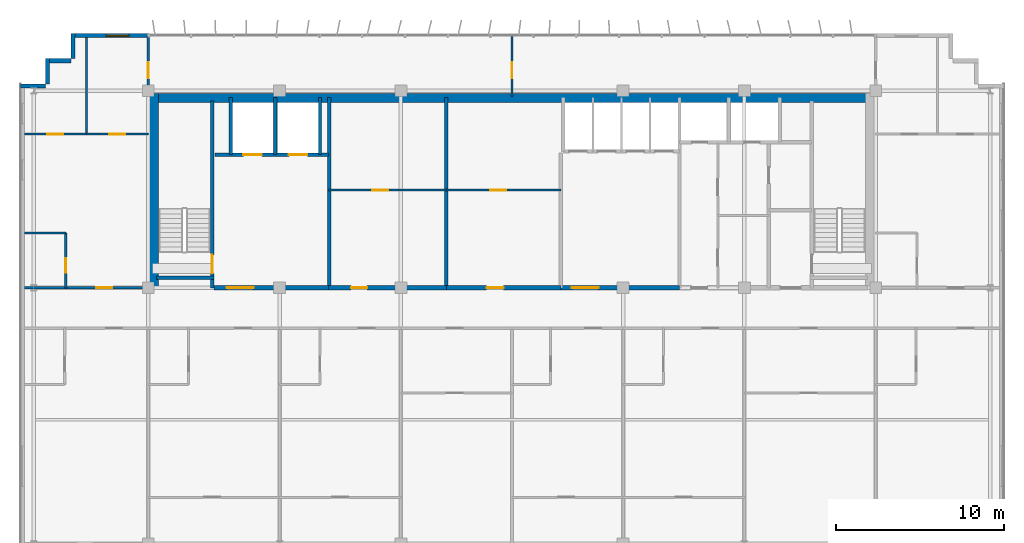
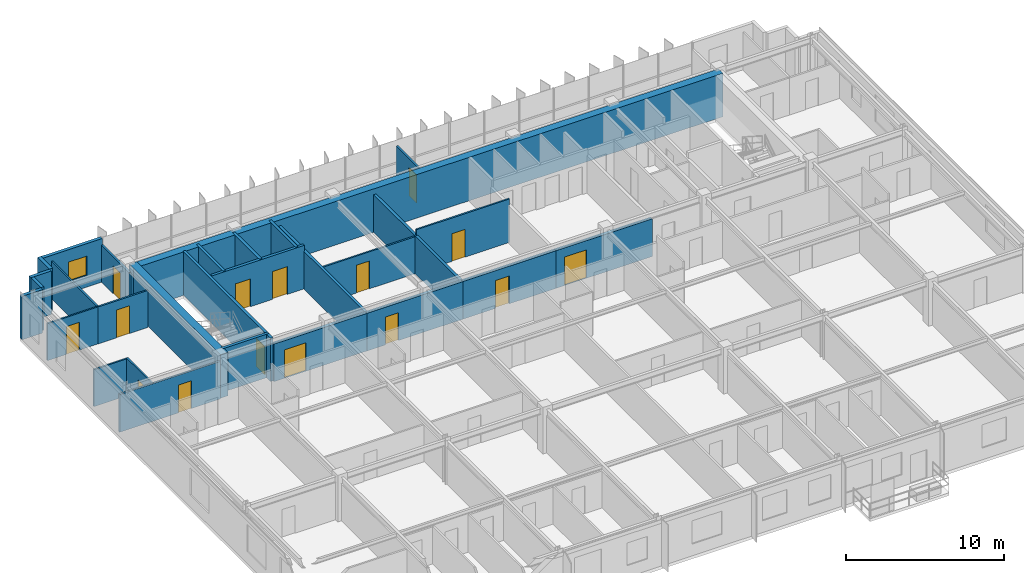
# One storey, part 19 of 23: 29 walls, 15 doors, 1 window, 16 openings.
"""IFC4 building model written with IfcOpenShell, lengths in metres."""

from ifc_helpers import new_model, si_unit, direction, frame, frame_2d, origin, place, context, subcontext, project, spatial, rectangle, extrude, source, transform, mapped, material, layer, layer_set, type_object, element, fill, save


model = new_model("IFC4")

# Units and contexts
model_context = context("Model", 3, precision=1e-05, world=origin(), true_north=direction((0.0, 1.0)))
body_context = subcontext(model_context, "Body", "Model", "MODEL_VIEW")
ifc_project = project(units=[si_unit("LENGTHUNIT", "METRE"), si_unit("AREAUNIT", "SQUARE_METRE"), si_unit("VOLUMEUNIT", "CUBIC_METRE"), si_unit("PLANEANGLEUNIT", "RADIAN"), si_unit("MASSUNIT", "GRAM", prefix="KILO")], contexts=[model_context])

# Site, building, storey
site_placement = place(None, origin())
site = spatial("IfcSite", under=ifc_project, at=site_placement, CompositionType="ELEMENT")
building_placement = place(site_placement, origin())
building = spatial("IfcBuilding", under=site, at=building_placement, Name="Trelvane Seafront Commons", CompositionType="ELEMENT")
storey_placement = place(building_placement, frame((0.0, 0.0, 226.5)))
storey = spatial("IfcBuildingStorey", under=building, at=storey_placement, Name="L59", CompositionType="ELEMENT", Elevation=226.5)

# Wall, opening, window
ifc_material_1 = material(Name="Precast concrete C40/50", Category="concrete")
ifc_layer_1 = layer(ifc_material_1, 0.239990234375, Name="ARCH-WALL-EXT240")
ifc_layer_set_1 = layer_set([ifc_layer_1], Name="Precast concrete C40/50")
wall_type_1 = type_object("IfcWallType", Name="ARCH-WALL-EXT240", PredefinedType="SOLIDWALL", material=ifc_layer_set_1)
wall_1_placement = place(storey_placement, frame((11.10009765625, 48.3701171875, 0.0), z_axis=(0.0, 0.0, 1.0), x_axis=(1.0, 0.0, 0.0)))
wall_1 = element("IfcWall", 1, at=wall_1_placement, inside=storey, type_object=wall_type_1, Name="EW-L59-NW-1183", PredefinedType="SOLIDWALL", context=body_context, shape_type="SweptSolid", body=[
    extrude(rectangle(XDim=4.5, YDim=0.239990234375, at=frame_2d((2.25, 0.0))), origin(), (0.0, 0.0, 1.0), 3.360107421875),
])
opening_1_placement = place(wall_1_placement, frame((2.0029296875, 0.0, 0.89990234375)))
opening_1 = element("IfcOpeningElement", 2, at=opening_1_placement, cuts=wall_1, Name="Opening W09", PredefinedType="OPENING", context=body_context, shape_type="SweptSolid", body=[
    extrude(rectangle(XDim=1.35009765625, YDim=1.5, at=frame_2d((0.675048828125, 0.75))), frame((0.0, 0.1298828125, 0.0), z_axis=(0.0, -1.0, 0.0), x_axis=(1.0, 0.0, 0.0)), (0.0, 0.0, 1.0), 0.260009765625),
])
ifc_material_2 = material(Name="Low-E coastal double glazing", Category="glass")
window_type = type_object("IfcWindowType", Name="ARCH-WIN-W09", PartitioningType="SINGLE_PANEL", PredefinedType="WINDOW", material=ifc_material_2)
shared_shape_1 = source(origin(), body_context, "Body", "SweptSolid", [
    extrude(rectangle(XDim=1.35009765625, YDim=1.5, at=frame_2d((0.675048828125, 0.75))), frame((0.0, 0.030029296875, 0.0), z_axis=(0.0, -1.0, 0.0), x_axis=(1.0, 0.0, 0.0)), (0.0, 0.0, 1.0), 0.06005859375),
])
window_placement = place(opening_1_placement, origin())
window = element("IfcWindow", 3, at=window_placement, inside=storey, type_object=window_type, Name="WIN-L59-01436", OverallHeight=1.5, OverallWidth=1.35009765625, PartitioningType="SINGLE_PANEL", PredefinedType="WINDOW", context=body_context, shape_type="MappedRepresentation", body=[
    mapped(shared_shape_1, transform((0.0, 0.0, 0.0), x_axis=(1.0, 0.0, 0.0), y_axis=(0.0, 1.0, 0.0), z_axis=(0.0, 0.0, 1.0), scale=1.0)),
])
fill(opening_1, window)

# Walls
for number, where, z_axis, x_axis, name in (
    (4, (8.0, 45.3798828125, 0.0), (0.0, 0.0, 1.0), (1.0, 0.0, 0.0), "EW-L59-01189"),
    (5, (9.6201171875, 45.5, 0.0), (0.0, 0.0, 1.0), (0.0, 1.0, 0.0), "EW-L59-01190"),
    (6, (9.5, 46.8798828125, 0.0), (0.0, 0.0, 1.0), (1.0, 0.0, 0.0), "EW-L59-01191"),
    (7, (11.1201171875, 47.0, 0.0), (0.0, 0.0, 1.0), (0.0, 1.0, 0.0), "EW-L59-01192"),
):
    element("IfcWall", number, at=place(storey_placement, frame(where, z_axis=z_axis, x_axis=x_axis)), inside=storey, type_object=wall_type_1, Name=name, PredefinedType="SOLIDWALL", context=body_context, shape_type="SweptSolid", body=[
        extrude(rectangle(XDim=1.5, YDim=0.239990234375, at=frame_2d((0.75, 0.0))), origin(), (0.0, 0.0, 1.0), 3.360107421875),
    ])

# Wall, opening, door
ifc_material_3 = material(Name="Concrete C40/50", Category="concrete")
ifc_layer_2 = layer(ifc_material_3, 0.25, Name="ARCH-WALL-FIRE250")
ifc_layer_set_2 = layer_set([ifc_layer_2], Name="Concrete C40/50")
wall_type_2 = type_object("IfcWallType", Name="ARCH-WALL-FIRE250", PredefinedType="PARTITIONING", material=ifc_layer_set_2)
wall_2_placement = place(storey_placement, frame((19.5, 33.39990234375, 0.0), z_axis=(0.0, 0.0, 1.0), x_axis=(1.0, 0.0, 0.0)))
wall_2 = element("IfcWall", 8, at=wall_2_placement, inside=storey, type_object=wall_type_2, Name="W-L59-CS-FFL-013", PredefinedType="PARTITIONING", context=body_context, shape_type="SweptSolid", body=[
    extrude(rectangle(XDim=6.800048828125, YDim=0.25, at=frame_2d((3.39990234375, 0.0))), origin(), (0.0, 0.0, 1.0), 2.909912109375),
])
opening_2_placement = place(wall_2_placement, frame((0.75, 0.0, 0.0)))
opening_2 = element("IfcOpeningElement", 9, at=opening_2_placement, cuts=wall_2, Name="Opening FD-L59-05", PredefinedType="OPENING", context=body_context, shape_type="SweptSolid", body=[
    extrude(rectangle(XDim=1.60009765625, YDim=2.199951171875, at=frame_2d((0.800048828125, 1.10009765625))), frame((0.0, 0.135009765625, 0.0), z_axis=(0.0, -1.0, 0.0), x_axis=(1.0, 0.0, 0.0)), (0.0, 0.0, 1.0), 0.27001953125),
])
ifc_material_4 = material(Name="Powder-coated aluminium frame", Category="aluminium")
door_type_1 = type_object("IfcDoorType", Name="ARCH-DR-FD60-1600", OperationType="DOUBLE_DOOR_SINGLE_SWING", PredefinedType="DOOR", material=ifc_material_4)
shared_shape_2 = source(origin(), body_context, "Body", "SweptSolid", [
    extrude(rectangle(XDim=1.60009765625, YDim=2.199951171875, at=frame_2d((0.800048828125, 1.10009765625))), frame((0.0, 0.02490234375, 0.0), z_axis=(0.0, -1.0, 0.0), x_axis=(1.0, 0.0, 0.0)), (0.0, 0.0, 1.0), 0.050048828125),
])
door_1_placement = place(opening_2_placement, origin())
door_1 = element("IfcDoor", 10, at=door_1_placement, inside=storey, type_object=door_type_1, Name="L59 Firefighting Lift Lobby Double Fire Door", OperationType="DOUBLE_DOOR_SINGLE_SWING", OverallHeight=2.199951171875, OverallWidth=1.60009765625, PredefinedType="DOOR", context=body_context, shape_type="MappedRepresentation", body=[
    mapped(shared_shape_2, transform((0.0, 0.0, 0.0), x_axis=(1.0, 0.0, 0.0), y_axis=(0.0, 1.0, 0.0), z_axis=(0.0, 0.0, 1.0), scale=1.0)),
])
fill(opening_2, door_1)

wall_3_placement = place(storey_placement, frame((26.300048828125, 33.39990234375, 0.0), z_axis=(0.0, 0.0, 1.0), x_axis=(1.0, 0.0, 0.0)))
wall_3 = element("IfcWall", 11, at=wall_3_placement, inside=storey, type_object=wall_type_2, Name="W-L59-CS-FPL-024", PredefinedType="PARTITIONING", context=body_context, shape_type="SweptSolid", body=[
    extrude(rectangle(XDim=7.0, YDim=0.25, at=frame_2d((3.5, 0.0))), origin(), (0.0, 0.0, 1.0), 2.909912109375),
])
opening_3_placement = place(wall_3_placement, frame((1.35009765625, 0.0, 0.0)))
opening_3 = element("IfcOpeningElement", 12, at=opening_3_placement, cuts=wall_3, Name="Opening D-L59-12", PredefinedType="OPENING", context=body_context, shape_type="SweptSolid", body=[
    extrude(rectangle(XDim=0.949951171875, YDim=2.14990234375, at=frame_2d((0.47509765625, 1.074951171875))), frame((0.0, 0.135009765625, 0.0), z_axis=(0.0, -1.0, 0.0), x_axis=(1.0, 0.0, 0.0)), (0.0, 0.0, 1.0), 0.27001953125),
])
ifc_material_5 = material(Name="Acoustic timber door leaf", Category="wood")
door_type_2 = type_object("IfcDoorType", Name="ARCH-DR-INT950", OperationType="NOTDEFINED", PredefinedType="DOOR", material=ifc_material_5)
shared_shape_3 = source(origin(), body_context, "Body", "SweptSolid", [
    extrude(rectangle(XDim=0.949951171875, YDim=2.14990234375, at=frame_2d((0.47509765625, 1.074951171875))), frame((0.0, 0.02490234375, 0.0), z_axis=(0.0, -1.0, 0.0), x_axis=(1.0, 0.0, 0.0)), (0.0, 0.0, 1.0), 0.050048828125),
])
door_2_placement = place(opening_3_placement, origin())
door_2 = element("IfcDoor", 13, at=door_2_placement, inside=storey, type_object=door_type_2, Name="L59 Floor Pantry Entrance Door", OperationType="SINGLE_SWING_RIGHT", OverallHeight=2.14990234375, OverallWidth=0.949951171875, PredefinedType="DOOR", context=body_context, shape_type="MappedRepresentation", body=[
    mapped(shared_shape_3, transform((0.0, 0.0, 0.0), x_axis=(1.0, 0.0, 0.0), y_axis=(0.0, 1.0, 0.0), z_axis=(0.0, 0.0, 1.0), scale=1.0)),
])
fill(opening_3, door_2)

wall_4_placement = place(storey_placement, frame((33.300048828125, 33.39990234375, 0.0), z_axis=(0.0, 0.0, 1.0), x_axis=(1.0, 0.0, 0.0)))
wall_4 = element("IfcWall", 14, at=wall_4_placement, inside=storey, type_object=wall_type_2, Name="W-L59-CS-FPM-025", PredefinedType="PARTITIONING", context=body_context, shape_type="SweptSolid", body=[
    extrude(rectangle(XDim=6.800048828125, YDim=0.25, at=frame_2d((3.39990234375, 0.0))), origin(), (0.0, 0.0, 1.0), 2.909912109375),
])
opening_4_placement = place(wall_4_placement, frame((2.39990234375, 0.0, 0.0)))
opening_4 = element("IfcOpeningElement", 15, at=opening_4_placement, cuts=wall_4, Name="Opening FD-L59-13", PredefinedType="OPENING", context=body_context, shape_type="SweptSolid", body=[
    extrude(rectangle(XDim=1.0, YDim=2.14990234375, at=frame_2d((0.5, 1.074951171875))), frame((0.0, 0.135009765625, 0.0), z_axis=(0.0, -1.0, 0.0), x_axis=(1.0, 0.0, 0.0)), (0.0, 0.0, 1.0), 0.27001953125),
])
door_type_3 = type_object("IfcDoorType", Name="ARCH-DR-FD60-1000", OperationType="NOTDEFINED", PredefinedType="DOOR", material=ifc_material_4)
shared_shape_4 = source(origin(), body_context, "Body", "SweptSolid", [
    extrude(rectangle(XDim=1.0, YDim=2.14990234375, at=frame_2d((0.5, 1.074951171875))), frame((0.0, 0.02490234375, 0.0), z_axis=(0.0, -1.0, 0.0), x_axis=(1.0, 0.0, 0.0)), (0.0, 0.0, 1.0), 0.050048828125),
])
door_3_placement = place(opening_4_placement, origin())
door_3 = element("IfcDoor", 16, at=door_3_placement, inside=storey, type_object=door_type_3, Name="L59 Trunk Storage Door", OperationType="SINGLE_SWING_LEFT", OverallHeight=2.14990234375, OverallWidth=1.0, PredefinedType="DOOR", context=body_context, shape_type="MappedRepresentation", body=[
    mapped(shared_shape_4, transform((0.0, 0.0, 0.0), x_axis=(1.0, 0.0, 0.0), y_axis=(0.0, 1.0, 0.0), z_axis=(0.0, 0.0, 1.0), scale=1.0)),
])
fill(opening_4, door_3)

wall_5_placement = place(storey_placement, frame((40.10009765625, 33.39990234375, 0.0), z_axis=(0.0, 0.0, 1.0), x_axis=(1.0, 0.0, 0.0)))
wall_5 = element("IfcWall", 17, at=wall_5_placement, inside=storey, type_object=wall_type_2, Name="W-L59-CS-PAX-026", PredefinedType="PARTITIONING", context=body_context, shape_type="SweptSolid", body=[
    extrude(rectangle(XDim=7.0498046875, YDim=0.25, at=frame_2d((3.52490234375, 0.0))), origin(), (0.0, 0.0, 1.0), 2.909912109375),
])
opening_5_placement = place(wall_5_placement, frame((0.64990234375, 0.0, 0.0)))
opening_5 = element("IfcOpeningElement", 18, at=opening_5_placement, cuts=wall_5, Name="Opening FD-L59-14", PredefinedType="OPENING", context=body_context, shape_type="SweptSolid", body=[
    extrude(rectangle(XDim=1.60009765625, YDim=2.199951171875, at=frame_2d((0.800048828125, 1.10009765625))), frame((0.0, 0.135009765625, 0.0), z_axis=(0.0, -1.0, 0.0), x_axis=(1.0, 0.0, 0.0)), (0.0, 0.0, 1.0), 0.27001953125),
])
door_4_placement = place(opening_5_placement, origin())
door_4 = element("IfcDoor", 19, at=door_4_placement, inside=storey, type_object=door_type_1, Name="L59 High-Rise Lift Lobby Double Door", OperationType="DOUBLE_DOOR_SINGLE_SWING", OverallHeight=2.199951171875, OverallWidth=1.60009765625, PredefinedType="DOOR", context=body_context, shape_type="MappedRepresentation", body=[
    mapped(shared_shape_2, transform((0.0, 0.0, 0.0), x_axis=(1.0, 0.0, 0.0), y_axis=(0.0, 1.0, 0.0), z_axis=(0.0, 0.0, 1.0), scale=1.0)),
])
fill(opening_5, door_4)

ifc_material_6 = material(Name="Gypsum Drywall Acoustic Partition")
ifc_layer_3 = layer(ifc_material_6, 0.1201171875, Name="ARCH-WALL-PART120")
ifc_layer_set_3 = layer_set([ifc_layer_3], Name="Gypsum Drywall Acoustic Partition")
wall_type_3 = type_object("IfcWallType", Name="ARCH-WALL-PART120", PredefinedType="PARTITIONING", material=ifc_layer_set_3)
wall_6_placement = place(storey_placement, frame((26.300048828125, 39.199951171875, 0.0), z_axis=(0.0, 0.0, 1.0), x_axis=(1.0, 0.0, 0.0)))
wall_6 = element("IfcWall", 20, at=wall_6_placement, inside=storey, type_object=wall_type_3, Name="W-L59-FREED-PL-MID-014", PredefinedType="PARTITIONING", context=body_context, shape_type="SweptSolid", body=[
    extrude(rectangle(XDim=7.0, YDim=0.1201171875, at=frame_2d((3.5, 0.0))), origin(), (0.0, 0.0, 1.0), 2.860107421875),
])
opening_6_placement = place(wall_6_placement, frame((2.60009765625, 0.0, 0.0)))
opening_6 = element("IfcOpeningElement", 21, at=opening_6_placement, cuts=wall_6, Name="Opening D-L59-06", PredefinedType="OPENING", context=body_context, shape_type="SweptSolid", body=[
    extrude(rectangle(XDim=0.949951171875, YDim=2.14990234375, at=frame_2d((0.47509765625, 1.074951171875))), frame((0.0, 0.070068359375, 0.0), z_axis=(0.0, -1.0, 0.0), x_axis=(1.0, 0.0, 0.0)), (0.0, 0.0, 1.0), 0.14013671875),
])
door_5_placement = place(opening_6_placement, origin())
door_5 = element("IfcDoor", 22, at=door_5_placement, inside=storey, type_object=door_type_2, Name="L59 Housekeeping Store Door", OperationType="SINGLE_SWING_RIGHT", OverallHeight=2.14990234375, OverallWidth=0.949951171875, PredefinedType="DOOR", context=body_context, shape_type="MappedRepresentation", body=[
    mapped(shared_shape_3, transform((0.0, 0.0, 0.0), x_axis=(1.0, 0.0, 0.0), y_axis=(0.0, 1.0, 0.0), z_axis=(0.0, 0.0, 1.0), scale=1.0)),
])
fill(opening_6, door_5)

wall_7_placement = place(storey_placement, frame((33.300048828125, 39.199951171875, 0.0), z_axis=(0.0, 0.0, 1.0), x_axis=(1.0, 0.0, 0.0)))
wall_7 = element("IfcWall", 23, at=wall_7_placement, inside=storey, type_object=wall_type_3, Name="W-L59-FREED-PM-MID-016", PredefinedType="PARTITIONING", context=body_context, shape_type="SweptSolid", body=[
    extrude(rectangle(XDim=6.800048828125, YDim=0.1201171875, at=frame_2d((3.39990234375, 0.0))), origin(), (0.0, 0.0, 1.0), 3.360107421875),
])
opening_7_placement = place(wall_7_placement, frame((2.60009765625, 0.0, 0.0)))
opening_7 = element("IfcOpeningElement", 24, at=opening_7_placement, cuts=wall_7, Name="Opening D-L59-07", PredefinedType="OPENING", context=body_context, shape_type="SweptSolid", body=[
    extrude(rectangle(XDim=0.949951171875, YDim=2.14990234375, at=frame_2d((0.47509765625, 1.074951171875))), frame((0.0, 0.070068359375, 0.0), z_axis=(0.0, -1.0, 0.0), x_axis=(1.0, 0.0, 0.0)), (0.0, 0.0, 1.0), 0.14013671875),
])
door_6_placement = place(opening_7_placement, origin())
door_6 = element("IfcDoor", 25, at=door_6_placement, inside=storey, type_object=door_type_2, Name="L59 IT Comms Room Door", OperationType="SINGLE_SWING_LEFT", OverallHeight=2.14990234375, OverallWidth=0.949951171875, PredefinedType="DOOR", context=body_context, shape_type="MappedRepresentation", body=[
    mapped(shared_shape_3, transform((0.0, 0.0, 0.0), x_axis=(1.0, 0.0, 0.0), y_axis=(0.0, 1.0, 0.0), z_axis=(0.0, 0.0, 1.0), scale=1.0)),
])
fill(opening_7, door_6)

wall_8_placement = place(storey_placement, frame((10.699951171875, 33.39990234375, 0.0), z_axis=(0.0, 0.0, 1.0), x_axis=(0.0, 1.0, 0.0)))
wall_8 = element("IfcWall", 26, at=wall_8_placement, inside=storey, type_object=wall_type_3, Name="W-L59-NW-BE-035", PredefinedType="PARTITIONING", context=body_context, shape_type="SweptSolid", body=[
    extrude(rectangle(XDim=3.25, YDim=0.1201171875, at=frame_2d((1.625, 0.0))), origin(), (0.0, 0.0, 1.0), 2.909912109375),
])
opening_8_placement = place(wall_8_placement, frame((0.89990234375, 0.0, 0.0)))
opening_8 = element("IfcOpeningElement", 27, at=opening_8_placement, cuts=wall_8, Name="Opening D-L59-22", PredefinedType="OPENING", context=body_context, shape_type="SweptSolid", body=[
    extrude(rectangle(XDim=0.85009765625, YDim=2.10009765625, at=frame_2d((0.425048828125, 1.050048828125))), frame((0.0, 0.070068359375, 0.0), z_axis=(0.0, -1.0, 0.0), x_axis=(1.0, 0.0, 0.0)), (0.0, 0.0, 1.0), 0.14013671875),
])
door_type_4 = type_object("IfcDoorType", Name="ARCH-DR-INT850", OperationType="NOTDEFINED", PredefinedType="DOOR", material=ifc_material_5)
shared_shape_5 = source(origin(), body_context, "Body", "SweptSolid", [
    extrude(rectangle(XDim=0.85009765625, YDim=2.10009765625, at=frame_2d((0.425048828125, 1.050048828125))), frame((0.0, 0.02490234375, 0.0), z_axis=(0.0, -1.0, 0.0), x_axis=(1.0, 0.0, 0.0)), (0.0, 0.0, 1.0), 0.050048828125),
])
door_7_placement = place(opening_8_placement, origin())
door_7 = element("IfcDoor", 28, at=door_7_placement, inside=storey, type_object=door_type_4, Name="L59 Door 22", OperationType="SINGLE_SWING_RIGHT", OverallHeight=2.10009765625, OverallWidth=0.85009765625, PredefinedType="DOOR", context=body_context, shape_type="MappedRepresentation", body=[
    mapped(shared_shape_5, transform((0.0, 0.0, 0.0), x_axis=(1.0, 0.0, 0.0), y_axis=(0.0, 1.0, 0.0), z_axis=(0.0, 0.0, 1.0), scale=1.0)),
])
fill(opening_8, door_7)

# Wall
wall_9_placement = place(storey_placement, frame((8.25, 36.64990234375, 0.0), z_axis=(0.0, 0.0, 1.0), x_axis=(1.0, 0.0, 0.0)))
element("IfcWall", 29, at=wall_9_placement, inside=storey, type_object=wall_type_3, Name="W-L59-NW-BN-036", PredefinedType="PARTITIONING", context=body_context, shape_type="SweptSolid", body=[
    extrude(rectangle(XDim=2.449951171875, YDim=0.1201171875, at=frame_2d((1.22509765625, 0.0))), origin(), (0.0, 0.0, 1.0), 2.860107421875),
])

# Wall, opening, door
wall_10_placement = place(storey_placement, frame((8.25, 42.52001953125, 0.0), z_axis=(0.0, 0.0, 1.0), x_axis=(1.0, 0.0, 0.0)))
wall_10 = element("IfcWall", 30, at=wall_10_placement, inside=storey, type_object=wall_type_3, Name="W-L59-NW-KB1-037", PredefinedType="PARTITIONING", context=body_context, shape_type="SweptSolid", body=[
    extrude(rectangle(XDim=3.675048828125, YDim=0.1201171875, at=frame_2d((1.83740234375, 0.0))), origin(), (0.0, 0.0, 1.0), 2.860107421875),
])
opening_9_placement = place(wall_10_placement, frame((1.363037109375, 0.0, 0.0)))
opening_9 = element("IfcOpeningElement", 31, at=opening_9_placement, cuts=wall_10, Name="Opening D-L59-23", PredefinedType="OPENING", context=body_context, shape_type="SweptSolid", body=[
    extrude(rectangle(XDim=0.949951171875, YDim=2.14990234375, at=frame_2d((0.47509765625, 1.074951171875))), frame((0.0, 0.070068359375, 0.0), z_axis=(0.0, -1.0, 0.0), x_axis=(1.0, 0.0, 0.0)), (0.0, 0.0, 1.0), 0.14013671875),
])
door_8_placement = place(opening_9_placement, origin())
door_8 = element("IfcDoor", 32, at=door_8_placement, inside=storey, type_object=door_type_2, Name="L59 Door 23", OperationType="SINGLE_SWING_LEFT", OverallHeight=2.14990234375, OverallWidth=0.949951171875, PredefinedType="DOOR", context=body_context, shape_type="MappedRepresentation", body=[
    mapped(shared_shape_3, transform((0.0, 0.0, 0.0), x_axis=(1.0, 0.0, 0.0), y_axis=(0.0, 1.0, 0.0), z_axis=(0.0, 0.0, 1.0), scale=1.0)),
])
fill(opening_9, door_8)

wall_11_placement = place(storey_placement, frame((11.925048828125, 42.52001953125, 0.0), z_axis=(0.0, 0.0, 1.0), x_axis=(1.0, 0.0, 0.0)))
wall_11 = element("IfcWall", 33, at=wall_11_placement, inside=storey, type_object=wall_type_3, Name="W-L59-NW-KB2-038", PredefinedType="PARTITIONING", context=body_context, shape_type="SweptSolid", body=[
    extrude(rectangle(XDim=3.675048828125, YDim=0.1201171875, at=frame_2d((1.83740234375, 0.0))), origin(), (0.0, 0.0, 1.0), 2.860107421875),
])
opening_10_placement = place(wall_11_placement, frame((1.362060546875, 0.0, 0.0)))
opening_10 = element("IfcOpeningElement", 34, at=opening_10_placement, cuts=wall_11, Name="Opening D-L59-24", PredefinedType="OPENING", context=body_context, shape_type="SweptSolid", body=[
    extrude(rectangle(XDim=0.949951171875, YDim=2.14990234375, at=frame_2d((0.47509765625, 1.074951171875))), frame((0.0, 0.070068359375, 0.0), z_axis=(0.0, -1.0, 0.0), x_axis=(1.0, 0.0, 0.0)), (0.0, 0.0, 1.0), 0.14013671875),
])
door_9_placement = place(opening_10_placement, origin())
door_9 = element("IfcDoor", 35, at=door_9_placement, inside=storey, type_object=door_type_2, Name="L59 Door 24", OperationType="SINGLE_SWING_RIGHT", OverallHeight=2.14990234375, OverallWidth=0.949951171875, PredefinedType="DOOR", context=body_context, shape_type="MappedRepresentation", body=[
    mapped(shared_shape_3, transform((0.0, 0.0, 0.0), x_axis=(1.0, 0.0, 0.0), y_axis=(0.0, 1.0, 0.0), z_axis=(0.0, 0.0, 1.0), scale=1.0)),
])
fill(opening_10, door_9)

# Wall
wall_12_placement = place(storey_placement, frame((11.925048828125, 42.52001953125, 0.0), z_axis=(0.0, 0.0, 1.0), x_axis=(0.0, 1.0, 0.0)))
element("IfcWall", 36, at=wall_12_placement, inside=storey, type_object=wall_type_3, Name="W-L59-NW-KBDV-039", PredefinedType="PARTITIONING", context=body_context, shape_type="SweptSolid", body=[
    extrude(rectangle(XDim=5.739990234375, YDim=0.1201171875, at=frame_2d((2.8701171875, 0.0))), origin(), (0.0, 0.0, 1.0), 2.909912109375),
])

# Wall, opening, door
wall_13_placement = place(storey_placement, frame((37.199951171875, 44.75, 0.0), z_axis=(0.0, 0.0, 1.0), x_axis=(0.0, 1.0, 0.0)))
wall_13 = element("IfcWall", 37, at=wall_13_placement, inside=storey, type_object=wall_type_3, Name="W-L59-N-MID-DV-047", PredefinedType="PARTITIONING", context=body_context, shape_type="SweptSolid", body=[
    extrude(rectangle(XDim=3.610107421875, YDim=0.1201171875, at=frame_2d((1.80517578125, 0.0))), origin(), (0.0, 0.0, 1.0), 2.909912109375),
])
opening_11_placement = place(wall_13_placement, frame((1.10009765625, 0.0, 0.0)))
opening_11 = element("IfcOpeningElement", 38, at=opening_11_placement, cuts=wall_13, Name="Opening D-L59-30", PredefinedType="OPENING", context=body_context, shape_type="SweptSolid", body=[
    extrude(rectangle(XDim=0.949951171875, YDim=2.14990234375, at=frame_2d((0.47509765625, 1.074951171875))), frame((0.0, 0.070068359375, 0.0), z_axis=(0.0, -1.0, 0.0), x_axis=(1.0, 0.0, 0.0)), (0.0, 0.0, 1.0), 0.14013671875),
])
door_10_placement = place(opening_11_placement, origin())
door_10 = element("IfcDoor", 39, at=door_10_placement, inside=storey, type_object=door_type_2, Name="L59 Door 30", OperationType="SINGLE_SWING_RIGHT", OverallHeight=2.14990234375, OverallWidth=0.949951171875, PredefinedType="DOOR", context=body_context, shape_type="MappedRepresentation", body=[
    mapped(shared_shape_3, transform((0.0, 0.0, 0.0), x_axis=(1.0, 0.0, 0.0), y_axis=(0.0, 1.0, 0.0), z_axis=(0.0, 0.0, 1.0), scale=1.0)),
])
fill(opening_11, door_10)

ifc_layer_4 = layer(ifc_material_6, 0.14990234375, Name="ARCH-WALL-PART150")
ifc_layer_set_4 = layer_set([ifc_layer_4], Name="Gypsum Drywall Acoustic Partition")
wall_type_4 = type_object("IfcWallType", Name="ARCH-WALL-PART150", PredefinedType="PARTITIONING", material=ifc_layer_set_4)
wall_14_placement = place(storey_placement, frame((8.25, 33.39990234375, 0.0), z_axis=(0.0, 0.0, 1.0), x_axis=(1.0, 0.0, 0.0)))
wall_14 = element("IfcWall", 40, at=wall_14_placement, inside=storey, type_object=wall_type_4, Name="W-L59-NW-ENT-040", PredefinedType="PARTITIONING", context=body_context, shape_type="SweptSolid", body=[
    extrude(rectangle(XDim=7.35009765625, YDim=0.14990234375, at=frame_2d((3.675048828125, 0.0))), origin(), (0.0, 0.0, 1.0), 2.909912109375),
])
opening_12_placement = place(wall_14_placement, frame((4.27490234375, 0.0, 0.0)))
opening_12 = element("IfcOpeningElement", 41, at=opening_12_placement, cuts=wall_14, Name="Opening FD-L59-25", PredefinedType="OPENING", context=body_context, shape_type="SweptSolid", body=[
    extrude(rectangle(XDim=0.949951171875, YDim=2.14990234375, at=frame_2d((0.47509765625, 1.074951171875))), frame((0.0, 0.0849609375, 0.0), z_axis=(0.0, -1.0, 0.0), x_axis=(1.0, 0.0, 0.0)), (0.0, 0.0, 1.0), 0.169921875),
])
door_type_5 = type_object("IfcDoorType", Name="ARCH-DR-FD60-950", OperationType="NOTDEFINED", PredefinedType="DOOR", material=ifc_material_4)
door_11_placement = place(opening_12_placement, origin())
door_11 = element("IfcDoor", 42, at=door_11_placement, inside=storey, type_object=door_type_5, Name="L59 NW Flat Entrance Door", OperationType="SINGLE_SWING_LEFT", OverallHeight=2.14990234375, OverallWidth=0.949951171875, PredefinedType="DOOR", context=body_context, shape_type="MappedRepresentation", body=[
    mapped(shared_shape_3, transform((0.0, 0.0, 0.0), x_axis=(1.0, 0.0, 0.0), y_axis=(0.0, 1.0, 0.0), z_axis=(0.0, 0.0, 1.0), scale=1.0)),
])
fill(opening_12, door_11)

wall_15_placement = place(storey_placement, frame((15.60009765625, 44.75, 0.0), z_axis=(0.0, 0.0, 1.0), x_axis=(0.0, 1.0, 0.0)))
wall_15 = element("IfcWall", 43, at=wall_15_placement, inside=storey, type_object=wall_type_4, Name="W-L59-N-LINK-W-048", PredefinedType="PARTITIONING", context=body_context, shape_type="SweptSolid", body=[
    extrude(rectangle(XDim=3.610107421875, YDim=0.14990234375, at=frame_2d((1.80517578125, 0.0))), origin(), (0.0, 0.0, 1.0), 2.860107421875),
])
opening_13_placement = place(wall_15_placement, frame((1.10009765625, 0.0, 0.0)))
opening_13 = element("IfcOpeningElement", 44, at=opening_13_placement, cuts=wall_15, Name="Opening FD-L59-31", PredefinedType="OPENING", context=body_context, shape_type="SweptSolid", body=[
    extrude(rectangle(XDim=0.949951171875, YDim=2.14990234375, at=frame_2d((0.47509765625, 1.074951171875))), frame((0.0, 0.0849609375, 0.0), z_axis=(0.0, -1.0, 0.0), x_axis=(1.0, 0.0, 0.0)), (0.0, 0.0, 1.0), 0.169921875),
])
door_12_placement = place(opening_13_placement, origin())
door_12 = element("IfcDoor", 45, at=door_12_placement, inside=storey, type_object=door_type_5, Name="L59 Door 31", OperationType="SINGLE_SWING_LEFT", OverallHeight=2.14990234375, OverallWidth=0.949951171875, PredefinedType="DOOR", context=body_context, shape_type="MappedRepresentation", body=[
    mapped(shared_shape_3, transform((0.0, 0.0, 0.0), x_axis=(1.0, 0.0, 0.0), y_axis=(0.0, 1.0, 0.0), z_axis=(0.0, 0.0, 1.0), scale=1.0)),
])
fill(opening_13, door_12)

# Wall, openings, doors
ifc_layer_5 = layer(ifc_material_3, 0.199951171875, Name="ARCH-WALL-SHAFT200")
ifc_layer_set_5 = layer_set([ifc_layer_5], Name="Concrete C40/50")
wall_type_5 = type_object("IfcWallType", Name="ARCH-WALL-SHAFT200", PredefinedType="SOLIDWALL", material=ifc_layer_set_5)
wall_16_placement = place(storey_placement, frame((19.550048828125, 41.300048828125, 0.0), z_axis=(0.0, 0.0, 1.0), x_axis=(1.0, 0.0, 0.0)))
wall_16 = element("IfcWall", 46, at=wall_16_placement, inside=storey, type_object=wall_type_5, Name="W-L59-FFL-FRONT-008", PredefinedType="SOLIDWALL", context=body_context, shape_type="SweptSolid", body=[
    extrude(rectangle(XDim=6.75, YDim=0.199951171875, at=frame_2d((3.375, 0.0))), origin(), (0.0, 0.0, 1.0), 3.360107421875),
])
opening_14_placement = place(wall_16_placement, frame((1.699951171875, 0.0, 0.0)))
opening_14 = element("IfcOpeningElement", 47, at=opening_14_placement, cuts=wall_16, Name="Opening LD-FF1-L59", PredefinedType="OPENING", context=body_context, shape_type="SweptSolid", body=[
    extrude(rectangle(XDim=1.10009765625, YDim=2.14990234375, at=frame_2d((0.550048828125, 1.074951171875))), frame((0.0, 0.10986328125, 0.0), z_axis=(0.0, -1.0, 0.0), x_axis=(1.0, 0.0, 0.0)), (0.0, 0.0, 1.0), 0.219970703125),
])
opening_15_placement = place(wall_16_placement, frame((4.39990234375, 0.0, 0.0)))
opening_15 = element("IfcOpeningElement", 48, at=opening_15_placement, cuts=wall_16, Name="Opening LD-FF2-L59", PredefinedType="OPENING", context=body_context, shape_type="SweptSolid", body=[
    extrude(rectangle(XDim=1.10009765625, YDim=2.14990234375, at=frame_2d((0.550048828125, 1.074951171875))), frame((0.0, 0.10986328125, 0.0), z_axis=(0.0, -1.0, 0.0), x_axis=(1.0, 0.0, 0.0)), (0.0, 0.0, 1.0), 0.219970703125),
])
ifc_material_7 = material(Name="Stainless steel balustrade", Category="steel")
door_type_6 = type_object("IfcDoorType", Name="ARCH-DR-LD1100", OperationType="DOUBLE_DOOR_SLIDING", PredefinedType="DOOR", material=ifc_material_7)
shared_shape_6 = source(origin(), body_context, "Body", "SweptSolid", [
    extrude(rectangle(XDim=1.10009765625, YDim=2.14990234375, at=frame_2d((0.550048828125, 1.074951171875))), frame((0.0, 0.02490234375, 0.0), z_axis=(0.0, -1.0, 0.0), x_axis=(1.0, 0.0, 0.0)), (0.0, 0.0, 1.0), 0.050048828125),
])
door_13_placement = place(opening_14_placement, origin())
door_13 = element("IfcDoor", 49, at=door_13_placement, inside=storey, type_object=door_type_6, Name="L59 Firefighting Lift FFL-1 Landing Door", OperationType="DOUBLE_DOOR_SLIDING", OverallHeight=2.14990234375, OverallWidth=1.10009765625, PredefinedType="DOOR", context=body_context, shape_type="MappedRepresentation", body=[
    mapped(shared_shape_6, transform((0.0, 0.0, 0.0), x_axis=(1.0, 0.0, 0.0), y_axis=(0.0, 1.0, 0.0), z_axis=(0.0, 0.0, 1.0), scale=1.0)),
])
fill(opening_14, door_13)
door_14_placement = place(opening_15_placement, origin())
door_14 = element("IfcDoor", 50, at=door_14_placement, inside=storey, type_object=door_type_6, Name="L59 Firefighting Lift FFL-2 Landing Door", OperationType="DOUBLE_DOOR_SLIDING", OverallHeight=2.14990234375, OverallWidth=1.10009765625, PredefinedType="DOOR", context=body_context, shape_type="MappedRepresentation", body=[
    mapped(shared_shape_6, transform((0.0, 0.0, 0.0), x_axis=(1.0, 0.0, 0.0), y_axis=(0.0, 1.0, 0.0), z_axis=(0.0, 0.0, 1.0), scale=1.0)),
])
fill(opening_15, door_14)

# Walls
for number, where, z_axis, x_axis, name in (
    (51, (20.5, 41.300048828125, 0.0), (0.0, 0.0, 1.0), (0.0, 1.0, 0.0), "W-L59-FFL-SH-W-009"),
    (52, (23.14990234375, 41.300048828125, 0.0), (0.0, 0.0, 1.0), (0.0, 1.0, 0.0), "W-L59-FFL-DIV-010"),
    (53, (25.800048828125, 41.300048828125, 0.0), (0.0, 0.0, 1.0), (0.0, 1.0, 0.0), "W-L59-FFL-SH-E-011"),
):
    element("IfcWall", number, at=place(storey_placement, frame(where, z_axis=z_axis, x_axis=x_axis)), inside=storey, type_object=wall_type_5, Name=name, PredefinedType="SOLIDWALL", context=body_context, shape_type="SweptSolid", body=[
        extrude(rectangle(XDim=3.39990234375, YDim=0.199951171875, at=frame_2d((1.699951171875, 0.0))), origin(), (0.0, 0.0, 1.0), 3.360107421875),
    ])
for number, where, z_axis, x_axis, name in (
    (54, (26.35009765625, 33.39990234375, 0.0), (0.0, 0.0, 1.0), (0.0, 1.0, 0.0), "W-L59-FFL-EAST-012"),
    (55, (33.300048828125, 33.39990234375, 0.0), (0.0, 0.0, 1.0), (0.0, 1.0, 0.0), "W-L59-FREED-PL-E-015"),
):
    element("IfcWall", number, at=place(storey_placement, frame(where, z_axis=z_axis, x_axis=x_axis)), inside=storey, type_object=wall_type_5, Name=name, PredefinedType="SOLIDWALL", context=body_context, shape_type="SweptSolid", body=[
        extrude(rectangle(XDim=11.300048828125, YDim=0.199951171875, at=frame_2d((5.64990234375, 0.0))), origin(), (0.0, 0.0, 1.0), 2.909912109375),
    ])
ifc_material_8 = material(Name="Concrete C50/60", Category="concrete")
ifc_layer_6 = layer(ifc_material_8, 0.550048828125, Name="STR-WALL-CORE550")
ifc_layer_set_6 = layer_set([ifc_layer_6], Name="Concrete C50/60")
wall_type_6 = type_object("IfcWallType", Name="STR-WALL-CORE550", PredefinedType="SHEAR", material=ifc_layer_set_6)
wall_17_placement = place(storey_placement, frame((15.64990234375, 44.675048828125, 0.0), z_axis=(0.0, 0.0, 1.0), x_axis=(1.0, 0.0, 0.0)))
element("IfcWall", 56, at=wall_17_placement, inside=storey, type_object=wall_type_6, Name="W-L59-CN-ALL-001", PredefinedType="SHEAR", context=body_context, shape_type="SweptSolid", body=[
    extrude(rectangle(XDim=43.10009765625, YDim=0.550048828125, at=frame_2d((21.550048828125, 0.0))), origin(), (0.0, 0.0, 1.0), 3.360107421875),
])
wall_18_placement = place(storey_placement, frame((15.925048828125, 33.39990234375, 0.0), z_axis=(0.0, 0.0, 1.0), x_axis=(0.0, 1.0, 0.0)))
element("IfcWall", 57, at=wall_18_placement, inside=storey, type_object=wall_type_6, Name="W-L59-CW-END-002", PredefinedType="SHEAR", context=body_context, shape_type="SweptSolid", body=[
    extrude(rectangle(XDim=11.550048828125, YDim=0.550048828125, at=frame_2d((5.77490234375, 0.0))), origin(), (0.0, 0.0, 1.0), 3.360107421875),
])
ifc_layer_7 = layer(ifc_material_8, 0.199951171875, Name="STR-WALL-STAIR200")
ifc_layer_set_7 = layer_set([ifc_layer_7], Name="Concrete C50/60")
wall_type_7 = type_object("IfcWallType", Name="STR-WALL-STAIR200", PredefinedType="SHEAR", material=ifc_layer_set_7)
wall_19_placement = place(storey_placement, frame((16.10009765625, 34.0, 0.0), z_axis=(0.0, 0.0, 1.0), x_axis=(1.0, 0.0, 0.0)))
element("IfcWall", 58, at=wall_19_placement, inside=storey, type_object=wall_type_7, Name="W-L59-ST1-S-004", PredefinedType="SHEAR", context=body_context, shape_type="SweptSolid", body=[
    extrude(rectangle(XDim=3.39990234375, YDim=0.199951171875, at=frame_2d((1.699951171875, 0.0))), origin(), (0.0, 0.0, 1.0), 3.360107421875),
])

# Wall, opening, door
wall_20_placement = place(storey_placement, frame((19.39990234375, 33.39990234375, 0.0), z_axis=(0.0, 0.0, 1.0), x_axis=(0.0, 1.0, 0.0)))
wall_20 = element("IfcWall", 59, at=wall_20_placement, inside=storey, type_object=wall_type_7, Name="W-L59-ST1-E-005", PredefinedType="SHEAR", context=body_context, shape_type="SweptSolid", body=[
    extrude(rectangle(XDim=11.10009765625, YDim=0.199951171875, at=frame_2d((5.550048828125, 0.0))), origin(), (0.0, 0.0, 1.0), 3.360107421875),
])
opening_16_placement = place(wall_20_placement, frame((0.85009765625, 0.0, 0.0)))
opening_16 = element("IfcOpeningElement", 60, at=opening_16_placement, cuts=wall_20, Name="Opening ST-D1-L59", PredefinedType="OPENING", context=body_context, shape_type="SweptSolid", body=[
    extrude(rectangle(XDim=1.10009765625, YDim=2.14990234375, at=frame_2d((0.550048828125, 1.074951171875))), frame((0.0, 0.10986328125, 0.0), z_axis=(0.0, -1.0, 0.0), x_axis=(1.0, 0.0, 0.0)), (0.0, 0.0, 1.0), 0.219970703125),
])
door_type_7 = type_object("IfcDoorType", Name="ARCH-DR-FD90-1100", OperationType="NOTDEFINED", PredefinedType="DOOR", material=ifc_material_4)
door_15_placement = place(opening_16_placement, origin())
door_15 = element("IfcDoor", 61, at=door_15_placement, inside=storey, type_object=door_type_7, Name="L59 Stair ST-1 Lobby Fire Door", OperationType="SINGLE_SWING_LEFT", OverallHeight=2.14990234375, OverallWidth=1.10009765625, PredefinedType="DOOR", context=body_context, shape_type="MappedRepresentation", body=[
    mapped(shared_shape_6, transform((0.0, 0.0, 0.0), x_axis=(1.0, 0.0, 0.0), y_axis=(0.0, 1.0, 0.0), z_axis=(0.0, 0.0, 1.0), scale=1.0)),
])
fill(opening_16, door_15)

save(model, "model.ifc")
